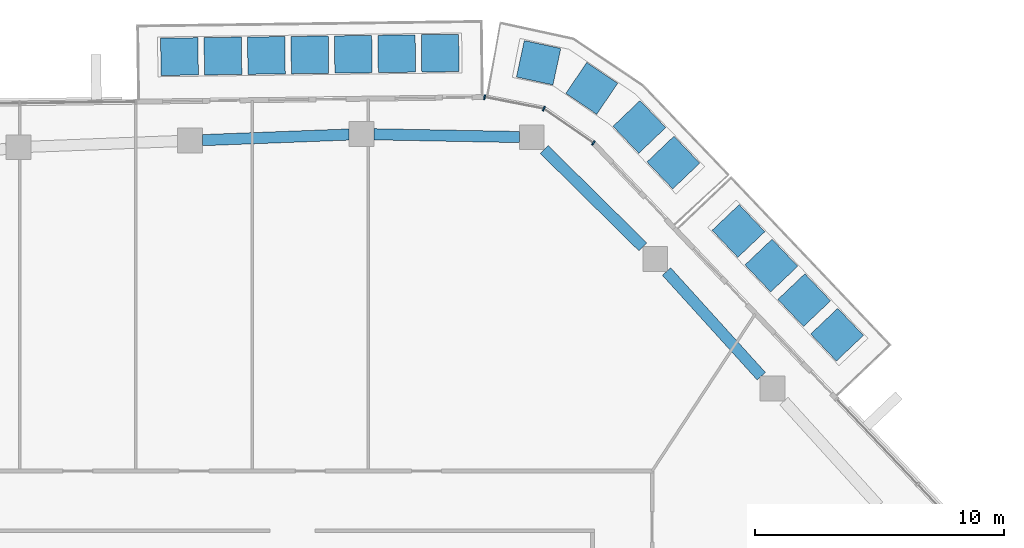
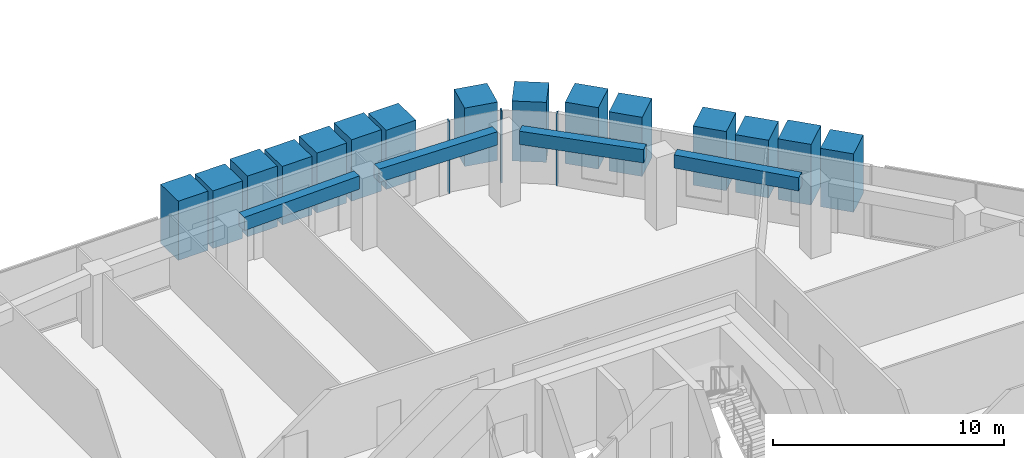
# One storey, part 9 of 24: 18 members, 4 beams, 1 element without a shape of its own.
"""IFC4 building model written with IfcOpenShell, lengths in metres."""

import ifcopenshell
import ifcopenshell.guid

model = None  # the IFC model being written
_history = None  # IfcOwnerHistory: only IFC2X3 demands one
_inside = {}  # id of a spatial element -> (the spatial element, [elements in it])
_under = {}  # id of a project, library or spatial element -> (it, [spatial elements below it])
_declared = {}  # id of a project -> (the project, [libraries it declares])
_typed = {}  # id of a type object -> (the type object, [elements of that type])
_made_of = {}  # id of a material, layer set ... -> (it, [elements and type objects made of it])


def new_model(schema):
    """Start an empty IFC model of exactly this schema.

    Asked for "IFC4X3", IfcOpenShell would pick the latest addendum, in which some entities
    have other attributes; the version numbers below select the first issue.
    IFC2X3 requires an IfcOwnerHistory on every rooted entity: one is made here for all.
    """
    global model, _history
    if schema == "IFC4X3":
        model = ifcopenshell.file(schema_version=(4, 3, 0, 0))
    else:
        model = ifcopenshell.file(schema=schema)
    _inside.clear()
    _under.clear()
    _declared.clear()
    _typed.clear()
    _made_of.clear()
    _history = None
    if model.schema == "IFC2X3":
        org = make("IfcOrganization", Name="unknown")
        user = make(
            "IfcPersonAndOrganization",
            ThePerson=make("IfcPerson", FamilyName="unknown"),
            TheOrganization=org,
        )
        app = make(
            "IfcApplication",
            ApplicationDeveloper=org,
            Version="unknown",
            ApplicationFullName="unknown",
            ApplicationIdentifier="unknown",
        )
        _history = make(
            "IfcOwnerHistory",
            OwningUser=user,
            OwningApplication=app,
            ChangeAction="ADDED",
            CreationDate=0,
        )
    return model


def make(cls, **values):
    """One entity of the class cls with the attributes given. An attribute that is None is left unset."""
    return model.create_entity(
        cls, **{name: value for name, value in values.items() if value is not None}
    )


def rooted(cls, **values):
    """An entity with a GlobalId (a new one), such as an element, a storey or a relation."""
    return make(cls, GlobalId=ifcopenshell.guid.new(), OwnerHistory=_history, **values)


def si_unit(unit_type, name, prefix=None):
    """IfcSIUnit, for example si_unit("LENGTHUNIT", "METRE", prefix="MILLI")."""
    return make("IfcSIUnit", UnitType=unit_type, Prefix=prefix, Name=name)


def assignment(units):
    """IfcUnitAssignment: the units of a project."""
    return None if units is None else make("IfcUnitAssignment", Units=units)


def point(xyz):
    """IfcCartesianPoint."""
    return None if xyz is None else make("IfcCartesianPoint", Coordinates=xyz)


def direction(xyz):
    """IfcDirection."""
    return None if xyz is None else make("IfcDirection", DirectionRatios=xyz)


def frame(location, z_axis=None, x_axis=None):
    """IfcAxis2Placement3D, a coordinate frame: its origin and axes. An axis left out is left unset."""
    return make(
        "IfcAxis2Placement3D",
        Location=point(location),
        Axis=direction(z_axis),
        RefDirection=direction(x_axis),
    )


def frame_2d(location, x_axis=None):
    """IfcAxis2Placement2D, a coordinate frame in the plane: its origin and x axis."""
    return make(
        "IfcAxis2Placement2D", Location=point(location), RefDirection=direction(x_axis)
    )


def origin():
    """The frame at (0, 0, 0) with its axes left unset."""
    return frame((0.0, 0.0, 0.0))


def origin_2d():
    """The frame at (0, 0) in the plane with its x axis left unset."""
    return frame_2d((0.0, 0.0))


def place(relative_to, where):
    """IfcLocalPlacement: puts the frame where relative to a parent placement (None: the world)."""
    return make(
        "IfcLocalPlacement", PlacementRelTo=relative_to, RelativePlacement=where
    )


def context(
    kind, dimensions, precision=None, world=None, true_north=None, identifier=None
):
    """IfcGeometricRepresentationContext, for example the 3D "Model" context."""
    return make(
        "IfcGeometricRepresentationContext",
        ContextIdentifier=identifier,
        ContextType=kind,
        CoordinateSpaceDimension=dimensions,
        Precision=precision,
        WorldCoordinateSystem=world,
        TrueNorth=true_north,
    )


def subcontext(parent, identifier, kind, view, scale=None):
    """IfcGeometricRepresentationSubContext, for example "Body" below "Model"."""
    return make(
        "IfcGeometricRepresentationSubContext",
        ContextIdentifier=identifier,
        ContextType=kind,
        ParentContext=parent,
        TargetScale=scale,
        TargetView=view,
    )


def project(units=None, contexts=None):
    """IfcProject with its units and contexts."""
    return rooted(
        "IfcProject",
        Name="project",
        RepresentationContexts=contexts,
        UnitsInContext=assignment(units),
    )


def spatial(cls, under=None, at=None, **own):
    """A site, building, storey or space (cls), placed at a placement, below another one or the project."""
    s = rooted(cls, ObjectPlacement=at, **own)
    if under is not None:
        _under.setdefault(under.id(), (under, []))[1].append(s)
    return s


def profile(cls, at=None, kind="AREA", **sizes):
    """A parametric profile (cls). Its sizes go by their IFC names, for example OverallWidth=200.0."""
    return make(cls, ProfileType=kind, Position=at, **sizes)


def rectangle(**sizes):
    """IfcRectangleProfileDef."""
    return profile("IfcRectangleProfileDef", **sizes)


def extrude(swept, where, along, depth):
    """IfcExtrudedAreaSolid: the profile swept, set in the frame where, extruded along a direction by depth."""
    return make(
        "IfcExtrudedAreaSolid",
        SweptArea=swept,
        Position=where,
        ExtrudedDirection=direction(along),
        Depth=depth,
    )


def shape(context_of_items, identifier, shape_type, items):
    """IfcShapeRepresentation: the items that make up one representation, for example the "Body"."""
    return make(
        "IfcShapeRepresentation",
        ContextOfItems=context_of_items,
        RepresentationIdentifier=identifier,
        RepresentationType=shape_type,
        Items=items,
    )


def material(Name=None, Category=None):
    """IfcMaterial."""
    return make("IfcMaterial", Name=Name, Category=Category)


def layer(
    of_material, thickness, ventilated=None, Name=None, Category=None, Priority=None
):
    """IfcMaterialLayer: one layer of a wall or slab, of a material (None: an air gap)."""
    return make(
        "IfcMaterialLayer",
        Material=of_material,
        LayerThickness=thickness,
        IsVentilated=ventilated,
        Name=Name,
        Category=Category,
        Priority=Priority,
    )


def layer_set(layers, Name=None):
    """IfcMaterialLayerSet."""
    return make("IfcMaterialLayerSet", MaterialLayers=layers, LayerSetName=Name)


def material_profile(
    of_material, cross_section, Name=None, Category=None, Priority=None
):
    """IfcMaterialProfile: a cross section and its material."""
    return make(
        "IfcMaterialProfile",
        Name=Name,
        Material=of_material,
        Profile=cross_section,
        Priority=Priority,
        Category=Category,
    )


def profile_set(profiles, Name=None, composite=None):
    """IfcMaterialProfileSet."""
    return make(
        "IfcMaterialProfileSet",
        Name=Name,
        MaterialProfiles=profiles,
        CompositeProfile=composite,
    )


def made_of(thing, what):
    """Note that an element or type object is made of a material, layer set ...; save() writes the relation."""
    if what is not None:
        _made_of.setdefault(what.id(), (what, []))[1].append(thing)
    return thing


def type_object(cls, material=None, **own):
    """A type object (cls), such as IfcWallType, which elements share."""
    return made_of(rooted(cls, **own), material)


def element(
    cls,
    number,
    at=None,
    inside=None,
    cuts=None,
    type_object=None,
    material=None,
    context=None,
    identifier="Body",
    shape_type=None,
    held_by="IfcProductDefinitionShape",
    body=None,
    shapes=None,
    **own,
):
    """One element of the class cls, such as IfcWall. Its Tag is "e" and its number.

    at: its placement. inside: the storey or other place that contains it. cuts: it is an
    opening in that element (IfcRelVoidsElement). A single representation is given by context,
    identifier, shape_type and body (its items); several are given by shapes. held_by: the class
    of the entity that holds the representations. save() writes the other relations.
    """
    e = rooted(cls, Tag="e%d" % number, ObjectPlacement=at, **own)
    if body is not None:
        shapes = [shape(context, identifier, shape_type, body)]
    if shapes is not None:
        e.Representation = make(held_by, Representations=shapes)
    if inside is not None:
        _inside.setdefault(inside.id(), (inside, []))[1].append(e)
    if cuts is not None:
        rooted(
            "IfcRelVoidsElement", RelatingBuildingElement=cuts, RelatedOpeningElement=e
        )
    if type_object is not None:
        _typed.setdefault(type_object.id(), (type_object, []))[1].append(e)
    return made_of(e, material)


def aggregate(whole, parts):
    """IfcRelAggregates: a whole, such as a stair, and the parts it consists of."""
    return rooted("IfcRelAggregates", RelatingObject=whole, RelatedObjects=parts)


def save(model, path):
    """Write the relations noted so far, then the file.

    IfcRelAggregates (storeys below a building ...), IfcRelContainedInSpatialStructure (elements
    in a storey), IfcRelDefinesByType, IfcRelAssociatesMaterial and IfcRelDeclares: one each for
    every whole, place, type object, material and project.
    """
    for whole, parts in _under.values():
        aggregate(whole, parts)
    for where, things in _inside.values():
        rooted(
            "IfcRelContainedInSpatialStructure",
            RelatedElements=things,
            RelatingStructure=where,
        )
    for kind, things in _typed.values():
        rooted("IfcRelDefinesByType", RelatedObjects=things, RelatingType=kind)
    for what, things in _made_of.values():
        rooted("IfcRelAssociatesMaterial", RelatedObjects=things, RelatingMaterial=what)
    for by, libraries in _declared.values():
        rooted("IfcRelDeclares", RelatingContext=by, RelatedDefinitions=libraries)
    model.write(path)


model = new_model("IFC4")

# Units and contexts
model_context = context("Model", 3, precision=1e-05, world=origin(), true_north=direction((0.0, 1.0)))
body_context = subcontext(model_context, "Body", "Model", "MODEL_VIEW")
ifc_project = project(units=[si_unit("LENGTHUNIT", "METRE"), si_unit("AREAUNIT", "SQUARE_METRE"), si_unit("VOLUMEUNIT", "CUBIC_METRE"), si_unit("PLANEANGLEUNIT", "RADIAN"), si_unit("MASSUNIT", "GRAM", prefix="KILO")], contexts=[model_context])

# Site, building, storey
site_placement = place(None, origin())
site = spatial("IfcSite", under=ifc_project, at=site_placement, CompositionType="ELEMENT")
building_placement = place(site_placement, origin())
building = spatial("IfcBuilding", under=site, at=building_placement, Name="Dongbaek Canopy Tower", CompositionType="ELEMENT")
storey_placement = place(building_placement, frame((0.0, 0.0, 332.0)))
storey = spatial("IfcBuildingStorey", under=building, at=storey_placement, Name="L71", CompositionType="ELEMENT", Elevation=332.0)

# Curtain wall, members
ifc_material_1 = material(Name="Aluminium 6063-T6 pale anodised", Category="aluminium")
ifc_layer = layer(ifc_material_1, 0.199951171875)
ifc_layer_set = layer_set([ifc_layer], Name="CW-1 unitised tower curtain wall")
curtain_wall_type = type_object("IfcCurtainWallType", Name="CW-1 unitised tower curtain wall", PredefinedType="NOTDEFINED", material=ifc_layer_set)
curtain_wall_placement = place(storey_placement, origin())
curtain_wall = element("IfcCurtainWall", 1, at=curtain_wall_placement, inside=storey, type_object=curtain_wall_type, Name="CW-1 curtain wall K1.1", PredefinedType="NOTDEFINED")
ifc_material_2 = material(Name="Aluminium 6063-T6 pale anodised", Category="aluminium")
ifc_material_profile_1 = material_profile(ifc_material_2, rectangle(XDim=0.199951171875, YDim=0.06005859375, at=origin_2d()), Name="CW-1 mullion 60 x 200")
ifc_profile_set_1 = profile_set([ifc_material_profile_1], Name="Aluminium 6063-T6 pale anodised")
member_type_1 = type_object("IfcMemberType", Name="CW-1 mullion 60 x 200", PredefinedType="MULLION", material=ifc_profile_set_1)
member_1_placement = place(storey_placement, frame((14.791259765625, 27.33349609375, 0.0), z_axis=(0.0, 0.0, 1.0), x_axis=(0.568695173669, 0.822548356904, 0.0)))
member_1 = element("IfcMember", 2, at=member_1_placement, type_object=member_type_1, Name="CW-1 mullion K1.1.1", PredefinedType="MULLION", context=body_context, shape_type="SweptSolid", body=[
    extrude(rectangle(XDim=0.199951171875, YDim=0.06005859375, at=origin_2d()), origin(), (0.0, 0.0, 1.0), 3.820068359375),
])
member_2_placement = place(storey_placement, frame((12.797607421875, 28.7119140625, 0.0), z_axis=(0.0, 0.0, 1.0), x_axis=(0.388396224954, 0.921492470095, 0.0)))
member_2 = element("IfcMember", 3, at=member_2_placement, type_object=member_type_1, Name="CW-1 mullion K1.1.2", PredefinedType="MULLION", context=body_context, shape_type="SweptSolid", body=[
    extrude(rectangle(XDim=0.199951171875, YDim=0.06005859375, at=origin_2d()), origin(), (0.0, 0.0, 1.0), 3.820068359375),
])
member_3_placement = place(storey_placement, frame((10.4189453125, 29.176513671875, 0.0), z_axis=(0.0, 0.0, 1.0), x_axis=(0.191669029259, 0.981459618743, 0.0)))
member_3 = element("IfcMember", 4, at=member_3_placement, type_object=member_type_1, Name="CW-1 mullion K1.1.3", PredefinedType="MULLION", context=body_context, shape_type="SweptSolid", body=[
    extrude(rectangle(XDim=0.199951171875, YDim=0.06005859375, at=origin_2d()), origin(), (0.0, 0.0, 1.0), 3.820068359375),
])
aggregate(curtain_wall, [member_1, member_2, member_3])

# Beams
ifc_material_3 = material(Name="Concrete C60", Category="concrete")
ifc_material_profile_2 = material_profile(ifc_material_3, rectangle(XDim=0.449951171875, YDim=0.699951171875, at=origin_2d()), Name="RC EDGE BEAM 450x700 C60")
ifc_profile_set_2 = profile_set([ifc_material_profile_2], Name="Concrete C60")
beam_type = type_object("IfcBeamType", Name="RC EDGE BEAM 450x700 C60", PredefinedType="BEAM", material=ifc_profile_set_2)
beam_1_placement = place(storey_placement, frame((-0.91796875, 27.447265625, 3.469970703125), z_axis=(0.999267098379, 0.038278794366, 0.0), x_axis=(-0.038278794366, 0.999267098379, 0.0)))
element("IfcBeam", 5, at=beam_1_placement, inside=storey, type_object=beam_type, Name="EDGEBEAM:L71:15", PredefinedType="BEAM", context=body_context, shape_type="SweptSolid", body=[
    extrude(rectangle(XDim=0.449951171875, YDim=0.699951171875, at=origin_2d()), origin(), (0.0, 0.0, 1.0), 5.893310546875),
])
beam_2_placement = place(storey_placement, frame((5.970947265625, 27.6826171875, 3.469970703125), z_axis=(0.99982249395, -0.018840928625, 0.0), x_axis=(0.018840928625, 0.99982249395, 0.0)))
element("IfcBeam", 6, at=beam_2_placement, inside=storey, type_object=beam_type, Name="EDGEBEAM:L71:16", PredefinedType="BEAM", context=body_context, shape_type="SweptSolid", body=[
    extrude(rectangle(XDim=0.449951171875, YDim=0.699951171875, at=origin_2d()), origin(), (0.0, 0.0, 1.0), 5.843994140625),
])
beam_3_placement = place(storey_placement, frame((12.81396484375, 27.069580078125, 3.469970703125), z_axis=(0.711740530271, -0.702442465665, 0.0), x_axis=(0.702442465665, 0.711740530271, 0.0)))
element("IfcBeam", 7, at=beam_3_placement, inside=storey, type_object=beam_type, Name="EDGEBEAM:L71:17", PredefinedType="BEAM", context=body_context, shape_type="SweptSolid", body=[
    extrude(rectangle(XDim=0.449951171875, YDim=0.699951171875, at=origin_2d()), origin(), (0.0, 0.0, 1.0), 5.56640625),
])
beam_4_placement = place(storey_placement, frame((17.72900390625, 22.166015625, 3.469970703125), z_axis=(0.67133921348, -0.741150227986, 0.0), x_axis=(0.741150227986, 0.67133921348, 0.0)))
element("IfcBeam", 8, at=beam_4_placement, inside=storey, type_object=beam_type, Name="EDGEBEAM:L71:18", PredefinedType="BEAM", context=body_context, shape_type="SweptSolid", body=[
    extrude(rectangle(XDim=0.449951171875, YDim=0.699951171875, at=origin_2d()), origin(), (0.0, 0.0, 1.0), 5.67236328125),
])

# Members
ifc_material_4 = material(Name="Concrete C40/50 planter mass with planting", Category="concrete")
ifc_material_profile_3 = material_profile(ifc_material_4, rectangle(XDim=1.5, YDim=1.5, at=origin_2d()), Name="Terrace PLANTER shrub mass 1500 x 1500")
ifc_profile_set_3 = profile_set([ifc_material_profile_3], Name="Concrete C40/50 planter mass with planting")
member_type_2 = type_object("IfcMemberType", Name="Terrace PLANTER shrub mass 1500 x 1500", PredefinedType="USERDEFINED", material=ifc_profile_set_3)
member_4_placement = place(storey_placement, frame((24.581298828125, 19.628662109375, 0.419921875), z_axis=(0.0, 0.0, 1.0), x_axis=(0.724939653857, 0.688812382486, 0.0)))
element("IfcMember", 9, at=member_4_placement, inside=storey, type_object=member_type_2, Name="Planter shrubs L71 1.1", ObjectType="PLANTER", PredefinedType="USERDEFINED", context=body_context, shape_type="SweptSolid", body=[
    extrude(rectangle(XDim=1.5, YDim=1.5, at=origin_2d()), origin(), (0.0, 0.0, 1.0), 3.090087890625),
])
member_5_placement = place(storey_placement, frame((23.261474609375, 21.017822265625, 0.419921875), z_axis=(0.0, 0.0, 1.0), x_axis=(0.724939653857, 0.688812382486, 0.0)))
element("IfcMember", 10, at=member_5_placement, inside=storey, type_object=member_type_2, Name="Planter shrubs L71 1.2", ObjectType="PLANTER", PredefinedType="USERDEFINED", context=body_context, shape_type="SweptSolid", body=[
    extrude(rectangle(XDim=1.5, YDim=1.5, at=origin_2d()), origin(), (0.0, 0.0, 1.0), 3.2099609375),
])
member_6_placement = place(storey_placement, frame((21.94140625, 22.406982421875, 0.419921875), z_axis=(0.0, 0.0, 1.0), x_axis=(0.724939653857, 0.688812382486, 0.0)))
element("IfcMember", 11, at=member_6_placement, inside=storey, type_object=member_type_2, Name="Planter shrubs L71 1.3", ObjectType="PLANTER", PredefinedType="USERDEFINED", context=body_context, shape_type="SweptSolid", body=[
    extrude(rectangle(XDim=1.5, YDim=1.5, at=origin_2d()), origin(), (0.0, 0.0, 1.0), 3.050048828125),
])
for number, where, z_axis, x_axis, name in (
    (12, (20.621337890625, 23.796142578125, 0.419921875), (0.0, 0.0, 1.0), (0.724939653857, 0.688812382486, 0.0), "Planter shrubs L71 1.4"),
    (13, (18.004150390625, 26.54736328125, 0.419921875), (0.0, 0.0, 1.0), (0.723377989855, 0.690452231363, 0.0), "Planter shrubs L71 6.1"),
):
    element("IfcMember", number, at=place(storey_placement, frame(where, z_axis=z_axis, x_axis=x_axis)), inside=storey, type_object=member_type_2, Name=name, ObjectType="PLANTER", PredefinedType="USERDEFINED", context=body_context, shape_type="SweptSolid", body=[
        extrude(rectangle(XDim=1.5, YDim=1.5, at=origin_2d()), origin(), (0.0, 0.0, 1.0), 3.130126953125),
    ])
member_7_placement = place(storey_placement, frame((16.638427734375, 27.978515625, 0.419921875), z_axis=(0.0, 0.0, 1.0), x_axis=(0.723377989855, 0.690452231363, 0.0)))
element("IfcMember", 14, at=member_7_placement, inside=storey, type_object=member_type_2, Name="Planter shrubs L71 6.2", ObjectType="PLANTER", PredefinedType="USERDEFINED", context=body_context, shape_type="SweptSolid", body=[
    extrude(rectangle(XDim=1.5, YDim=1.5, at=origin_2d()), origin(), (0.0, 0.0, 1.0), 3.25),
])
member_8_placement = place(storey_placement, frame((14.724609375, 29.528564453125, 0.419921875), z_axis=(0.0, 0.0, 1.0), x_axis=(0.561265947653, 0.82763550915, 0.0)))
element("IfcMember", 15, at=member_8_placement, inside=storey, type_object=member_type_2, Name="Planter shrubs L71 6.3", ObjectType="PLANTER", PredefinedType="USERDEFINED", context=body_context, shape_type="SweptSolid", body=[
    extrude(rectangle(XDim=1.5, YDim=1.5, at=origin_2d()), origin(), (0.0, 0.0, 1.0), 3.170166015625),
])
member_9_placement = place(storey_placement, frame((12.5888671875, 30.558349609375, 0.419921875), z_axis=(0.0, 0.0, 1.0), x_axis=(0.210585017012, 0.977575547265, 0.0)))
element("IfcMember", 16, at=member_9_placement, inside=storey, type_object=member_type_2, Name="Planter shrubs L71 6.4", ObjectType="PLANTER", PredefinedType="USERDEFINED", context=body_context, shape_type="SweptSolid", body=[
    extrude(rectangle(XDim=1.5, YDim=1.5, at=origin_2d()), origin(), (0.0, 0.0, 1.0), 3.090087890625),
])
member_10_placement = place(storey_placement, frame((8.632568359375, 30.943115234375, 0.419921875), z_axis=(0.0, 0.0, 1.0), x_axis=(-0.013165315653, 0.999913333476, 0.0)))
element("IfcMember", 17, at=member_10_placement, inside=storey, type_object=member_type_2, Name="Planter shrubs L71 2.1", ObjectType="PLANTER", PredefinedType="USERDEFINED", context=body_context, shape_type="SweptSolid", body=[
    extrude(rectangle(XDim=1.5, YDim=1.5, at=origin_2d()), origin(), (0.0, 0.0, 1.0), 3.130126953125),
])
member_11_placement = place(storey_placement, frame((6.886474609375, 30.920166015625, 0.419921875), z_axis=(0.0, 0.0, 1.0), x_axis=(-0.013165315653, 0.999913333476, 0.0)))
element("IfcMember", 18, at=member_11_placement, inside=storey, type_object=member_type_2, Name="Planter shrubs L71 2.2", ObjectType="PLANTER", PredefinedType="USERDEFINED", context=body_context, shape_type="SweptSolid", body=[
    extrude(rectangle(XDim=1.5, YDim=1.5, at=origin_2d()), origin(), (0.0, 0.0, 1.0), 3.25),
])
member_12_placement = place(storey_placement, frame((5.140380859375, 30.897216796875, 0.419921875), z_axis=(0.0, 0.0, 1.0), x_axis=(-0.013165315653, 0.999913333476, 0.0)))
element("IfcMember", 19, at=member_12_placement, inside=storey, type_object=member_type_2, Name="Planter shrubs L71 2.3", ObjectType="PLANTER", PredefinedType="USERDEFINED", context=body_context, shape_type="SweptSolid", body=[
    extrude(rectangle(XDim=1.5, YDim=1.5, at=origin_2d()), origin(), (0.0, 0.0, 1.0), 3.170166015625),
])
member_13_placement = place(storey_placement, frame((3.394287109375, 30.8740234375, 0.419921875), z_axis=(0.0, 0.0, 1.0), x_axis=(-0.013165315653, 0.999913333476, 0.0)))
element("IfcMember", 20, at=member_13_placement, inside=storey, type_object=member_type_2, Name="Planter shrubs L71 2.4", ObjectType="PLANTER", PredefinedType="USERDEFINED", context=body_context, shape_type="SweptSolid", body=[
    extrude(rectangle(XDim=1.5, YDim=1.5, at=origin_2d()), origin(), (0.0, 0.0, 1.0), 3.090087890625),
])
member_14_placement = place(storey_placement, frame((1.648193359375, 30.85107421875, 0.419921875), z_axis=(0.0, 0.0, 1.0), x_axis=(-0.013165315653, 0.999913333476, 0.0)))
element("IfcMember", 21, at=member_14_placement, inside=storey, type_object=member_type_2, Name="Planter shrubs L71 2.5", ObjectType="PLANTER", PredefinedType="USERDEFINED", context=body_context, shape_type="SweptSolid", body=[
    extrude(rectangle(XDim=1.5, YDim=1.5, at=origin_2d()), origin(), (0.0, 0.0, 1.0), 3.2099609375),
])
member_15_placement = place(storey_placement, frame((-0.097900390625, 30.828125, 0.419921875), z_axis=(0.0, 0.0, 1.0), x_axis=(-0.013165315653, 0.999913333476, 0.0)))
element("IfcMember", 22, at=member_15_placement, inside=storey, type_object=member_type_2, Name="Planter shrubs L71 2.6", ObjectType="PLANTER", PredefinedType="USERDEFINED", context=body_context, shape_type="SweptSolid", body=[
    extrude(rectangle(XDim=1.5, YDim=1.5, at=origin_2d()), origin(), (0.0, 0.0, 1.0), 3.050048828125),
])
member_16_placement = place(storey_placement, frame((-1.843994140625, 30.80517578125, 0.419921875), z_axis=(0.0, 0.0, 1.0), x_axis=(-0.013165315653, 0.999913333476, 0.0)))
element("IfcMember", 23, at=member_16_placement, inside=storey, type_object=member_type_2, Name="Planter shrubs L71 2.7", ObjectType="PLANTER", PredefinedType="USERDEFINED", context=body_context, shape_type="SweptSolid", body=[
    extrude(rectangle(XDim=1.5, YDim=1.5, at=origin_2d()), origin(), (0.0, 0.0, 1.0), 3.130126953125),
])

save(model, "model.ifc")
